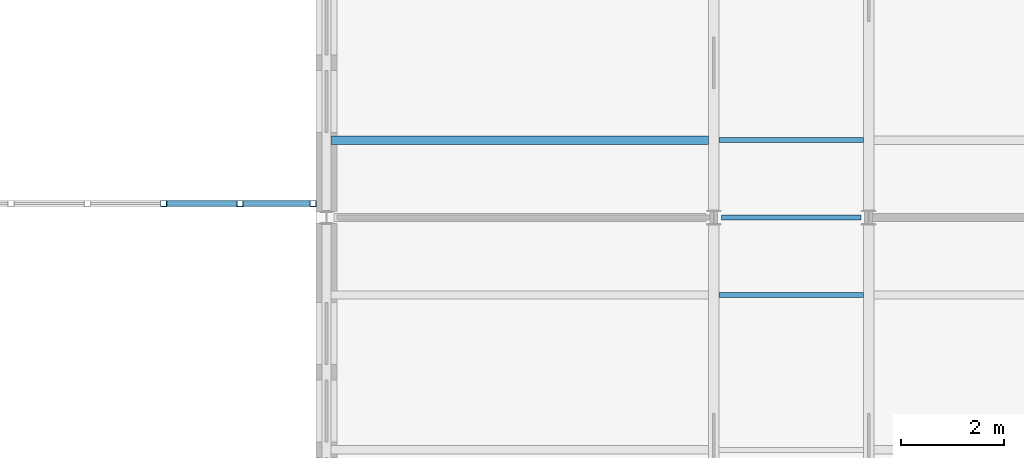
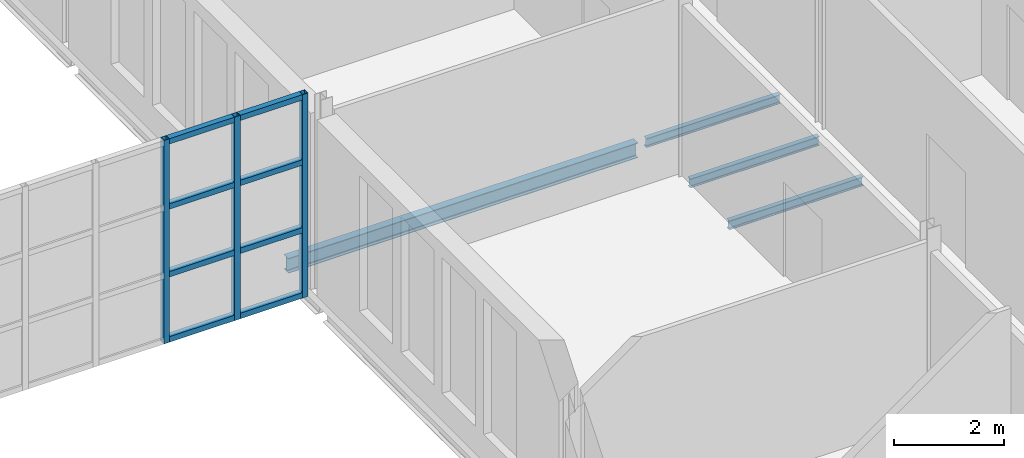
# One storey, part 34 of 131: 11 members, 4 beams, 1 element without a shape of its own.
"""IFC4 building model written with IfcOpenShell, lengths in metres."""

from ifc_helpers import new_model, si_unit, direction, frame, origin, origin_2d, place, context, subcontext, project, spatial, hollow_rectangle, i_section, extrude, material, material_profile, profile_set, type_object, element, aggregate, save


model = new_model("IFC4")

# Units and contexts
model_context = context("Model", 3, precision=1e-05, world=origin(), true_north=direction((0.0, 1.0)))
body_context = subcontext(model_context, "Body", "Model", "MODEL_VIEW")
ifc_project = project(units=[si_unit("LENGTHUNIT", "METRE"), si_unit("AREAUNIT", "SQUARE_METRE"), si_unit("VOLUMEUNIT", "CUBIC_METRE"), si_unit("PLANEANGLEUNIT", "RADIAN"), si_unit("MASSUNIT", "GRAM", prefix="KILO")], contexts=[model_context])

# Site, building, storey
site_placement = place(None, origin())
site = spatial("IfcSite", under=ifc_project, at=site_placement, CompositionType="ELEMENT")
building_placement = place(site_placement, origin())
building = spatial("IfcBuilding", under=site, at=building_placement, Name="Golden Quay Civic Hall", CompositionType="ELEMENT")
storey_placement = place(building_placement, frame((0.0, 0.0, 9.89990234375)))
storey = spatial("IfcBuildingStorey", under=building, at=storey_placement, Name="L02", CompositionType="ELEMENT", Elevation=9.89990234375)

# Curtain wall, members
ifc_material_1 = material(Name="Fire-resisting glass and steel", Category="steel")
curtain_wall_type = type_object("IfcCurtainWallType", Name="Fire-resisting glazed curtain wall EI 120", PredefinedType="NOTDEFINED", material=ifc_material_1)
curtain_wall_placement = place(storey_placement, origin())
curtain_wall = element("IfcCurtainWall", 1, at=curtain_wall_placement, inside=storey, type_object=curtain_wall_type, Name="CW3 curtain wall", PredefinedType="NOTDEFINED")
ifc_material_2 = material(Name="Steel S355", Category="steel")
ifc_material_profile_1 = material_profile(ifc_material_2, hollow_rectangle(XDim=0.1201171875, YDim=0.1201171875, WallThickness=0.008056640625, at=origin_2d()), Name="SHS 120x120x8")
ifc_profile_set_1 = profile_set([ifc_material_profile_1], Name="Steel S355")
member_type_1 = type_object("IfcMemberType", Name="Fire-resisting steel mullion SHS 120x120x8", PredefinedType="MULLION", material=ifc_profile_set_1)
member_1_placement = place(storey_placement, frame((95.844482421875, 18.27001953125, -0.199951171875), z_axis=(0.0, 0.0, 1.0), x_axis=(0.0, 1.0, 0.0)))
member_1 = element("IfcMember", 2, at=member_1_placement, type_object=member_type_1, Name="CW3 mullion 17", PredefinedType="MULLION", context=body_context, shape_type="SweptSolid", body=[
    extrude(hollow_rectangle(XDim=0.1201171875, YDim=0.1201171875, WallThickness=0.008056640625, at=origin_2d()), origin(), (0.0, 0.0, 1.0), 4.5),
])
member_2_placement = place(storey_placement, frame((97.322265625, 18.27001953125, -0.199951171875), z_axis=(0.0, 0.0, 1.0), x_axis=(0.0, 1.0, 0.0)))
member_2 = element("IfcMember", 3, at=member_2_placement, type_object=member_type_1, Name="CW3 mullion 18", PredefinedType="MULLION", context=body_context, shape_type="SweptSolid", body=[
    extrude(hollow_rectangle(XDim=0.1201171875, YDim=0.1201171875, WallThickness=0.008056640625, at=origin_2d()), origin(), (0.0, 0.0, 1.0), 4.5),
])
member_3_placement = place(storey_placement, frame((98.739990234375, 18.27001953125, -0.199951171875), z_axis=(0.0, 0.0, 1.0), x_axis=(0.0, 1.0, 0.0)))
member_3 = element("IfcMember", 4, at=member_3_placement, type_object=member_type_1, Name="CW3 mullion 19", PredefinedType="MULLION", context=body_context, shape_type="SweptSolid", body=[
    extrude(hollow_rectangle(XDim=0.1201171875, YDim=0.1201171875, WallThickness=0.008056640625, at=origin_2d()), origin(), (0.0, 0.0, 1.0), 4.5),
])
ifc_material_3 = material(Name="Steel S355", Category="steel")
ifc_material_profile_2 = material_profile(ifc_material_3, hollow_rectangle(XDim=0.1201171875, YDim=0.1201171875, WallThickness=0.008056640625, at=origin_2d()), Name="SHS 120x120x8")
ifc_profile_set_2 = profile_set([ifc_material_profile_2], Name="Steel S355")
member_type_2 = type_object("IfcMemberType", Name="Fire-resisting steel transom SHS 120x120x8", PredefinedType="USERDEFINED", material=ifc_profile_set_2)
member_4_placement = place(storey_placement, frame((95.904541015625, 18.27001953125, -0.139892578125), z_axis=(1.0, 0.0, 0.0), x_axis=(0.0, 1.0, 0.0)))
member_4 = element("IfcMember", 5, at=member_4_placement, type_object=member_type_2, Name="CW3 transom 17.1", ObjectType="TRANSOM", PredefinedType="USERDEFINED", context=body_context, shape_type="SweptSolid", body=[
    extrude(hollow_rectangle(XDim=0.1201171875, YDim=0.1201171875, WallThickness=0.008056640625, at=origin_2d()), origin(), (0.0, 0.0, 1.0), 1.357666015625),
])
member_5_placement = place(storey_placement, frame((95.904541015625, 18.27001953125, 1.300048828125), z_axis=(1.0, 0.0, 0.0), x_axis=(0.0, 1.0, 0.0)))
member_5 = element("IfcMember", 6, at=member_5_placement, type_object=member_type_2, Name="CW3 transom 17.2", ObjectType="TRANSOM", PredefinedType="USERDEFINED", context=body_context, shape_type="SweptSolid", body=[
    extrude(hollow_rectangle(XDim=0.1201171875, YDim=0.1201171875, WallThickness=0.008056640625, at=origin_2d()), origin(), (0.0, 0.0, 1.0), 1.357666015625),
])
member_6_placement = place(storey_placement, frame((95.904541015625, 18.27001953125, 2.800048828125), z_axis=(1.0, 0.0, 0.0), x_axis=(0.0, 1.0, 0.0)))
member_6 = element("IfcMember", 7, at=member_6_placement, type_object=member_type_2, Name="CW3 transom 17.3", ObjectType="TRANSOM", PredefinedType="USERDEFINED", context=body_context, shape_type="SweptSolid", body=[
    extrude(hollow_rectangle(XDim=0.1201171875, YDim=0.1201171875, WallThickness=0.008056640625, at=origin_2d()), origin(), (0.0, 0.0, 1.0), 1.357666015625),
])
member_7_placement = place(storey_placement, frame((95.904541015625, 18.27001953125, 4.239990234375), z_axis=(1.0, 0.0, 0.0), x_axis=(0.0, 1.0, 0.0)))
member_7 = element("IfcMember", 8, at=member_7_placement, type_object=member_type_2, Name="CW3 transom 17.4", ObjectType="TRANSOM", PredefinedType="USERDEFINED", context=body_context, shape_type="SweptSolid", body=[
    extrude(hollow_rectangle(XDim=0.1201171875, YDim=0.1201171875, WallThickness=0.008056640625, at=origin_2d()), origin(), (0.0, 0.0, 1.0), 1.357666015625),
])
member_8_placement = place(storey_placement, frame((97.38232421875, 18.27001953125, -0.139892578125), z_axis=(1.0, 0.0, 0.0), x_axis=(0.0, 1.0, 0.0)))
member_8 = element("IfcMember", 9, at=member_8_placement, type_object=member_type_2, Name="CW3 transom 18.1", ObjectType="TRANSOM", PredefinedType="USERDEFINED", context=body_context, shape_type="SweptSolid", body=[
    extrude(hollow_rectangle(XDim=0.1201171875, YDim=0.1201171875, WallThickness=0.008056640625, at=origin_2d()), origin(), (0.0, 0.0, 1.0), 1.297607421875),
])
member_9_placement = place(storey_placement, frame((97.38232421875, 18.27001953125, 1.300048828125), z_axis=(1.0, 0.0, 0.0), x_axis=(0.0, 1.0, 0.0)))
member_9 = element("IfcMember", 10, at=member_9_placement, type_object=member_type_2, Name="CW3 transom 18.2", ObjectType="TRANSOM", PredefinedType="USERDEFINED", context=body_context, shape_type="SweptSolid", body=[
    extrude(hollow_rectangle(XDim=0.1201171875, YDim=0.1201171875, WallThickness=0.008056640625, at=origin_2d()), origin(), (0.0, 0.0, 1.0), 1.297607421875),
])
member_10_placement = place(storey_placement, frame((97.38232421875, 18.27001953125, 2.800048828125), z_axis=(1.0, 0.0, 0.0), x_axis=(0.0, 1.0, 0.0)))
member_10 = element("IfcMember", 11, at=member_10_placement, type_object=member_type_2, Name="CW3 transom 18.3", ObjectType="TRANSOM", PredefinedType="USERDEFINED", context=body_context, shape_type="SweptSolid", body=[
    extrude(hollow_rectangle(XDim=0.1201171875, YDim=0.1201171875, WallThickness=0.008056640625, at=origin_2d()), origin(), (0.0, 0.0, 1.0), 1.297607421875),
])
member_11_placement = place(storey_placement, frame((97.38232421875, 18.27001953125, 4.239990234375), z_axis=(1.0, 0.0, 0.0), x_axis=(0.0, 1.0, 0.0)))
member_11 = element("IfcMember", 12, at=member_11_placement, type_object=member_type_2, Name="CW3 transom 18.4", ObjectType="TRANSOM", PredefinedType="USERDEFINED", context=body_context, shape_type="SweptSolid", body=[
    extrude(hollow_rectangle(XDim=0.1201171875, YDim=0.1201171875, WallThickness=0.008056640625, at=origin_2d()), origin(), (0.0, 0.0, 1.0), 1.297607421875),
])
aggregate(curtain_wall, [member_1, member_2, member_3, member_4, member_5, member_6, member_7, member_8, member_9, member_10, member_11])

# Beams
ifc_material_4 = material(Name="Steel S355", Category="steel")
ifc_material_profile_3 = material_profile(ifc_material_4, i_section(OverallWidth=0.10009765625, OverallDepth=0.199951171875, WebThickness=0.005615234375, FlangeThickness=0.008544921875, FilletRadius=0.011962890625, at=origin_2d()), Name="IPE 200")
ifc_profile_set_3 = profile_set([ifc_material_profile_3], Name="Steel S355")
beam_type_1 = type_object("IfcBeamType", Name="Steel beam IPE 200", PredefinedType="BEAM", material=ifc_profile_set_3)
beam_1_placement = place(storey_placement, frame((106.64990234375, 18.0, -0.2998046875), z_axis=(1.0, 0.0, 0.0), x_axis=(0.0, 1.0, 0.0)))
element("IfcBeam", 13, at=beam_1_placement, inside=storey, type_object=beam_type_1, Name="Beam S18-106.5", PredefinedType="BEAM", context=body_context, shape_type="SweptSolid", body=[
    extrude(i_section(OverallWidth=0.10009765625, OverallDepth=0.199951171875, WebThickness=0.005615234375, FlangeThickness=0.008544921875, FilletRadius=0.011962890625, at=origin_2d()), origin(), (0.0, 0.0, 1.0), 2.7001953125),
])
ifc_material_5 = material(Name="Steel S355", Category="steel")
ifc_material_profile_4 = material_profile(ifc_material_5, i_section(OverallWidth=0.10009765625, OverallDepth=0.199951171875, WebThickness=0.005615234375, FlangeThickness=0.008544921875, FilletRadius=0.011962890625, at=origin_2d()), Name="IPE 200")
ifc_profile_set_4 = profile_set([ifc_material_profile_4], Name="Steel S355")
beam_type_2 = type_object("IfcBeamType", Name="Steel joist IPE 200", PredefinedType="JOIST", material=ifc_profile_set_4)
for number, where, z_axis, x_axis, name in (
    (14, (106.60009765625, 16.5, -0.2998046875), (1.0, 0.0, 0.0), (0.0, 1.0, 0.0), "Joist J16.5-106.5"),
    (15, (106.60009765625, 19.5, -0.2998046875), (1.0, 0.0, 0.0), (0.0, 1.0, 0.0), "Joist J19.5-106.5"),
):
    element("IfcBeam", number, at=place(storey_placement, frame(where, z_axis=z_axis, x_axis=x_axis)), inside=storey, type_object=beam_type_2, Name=name, PredefinedType="JOIST", context=body_context, shape_type="SweptSolid", body=[
        extrude(i_section(OverallWidth=0.10009765625, OverallDepth=0.199951171875, WebThickness=0.005615234375, FlangeThickness=0.008544921875, FilletRadius=0.011962890625, at=origin_2d()), origin(), (0.0, 0.0, 1.0), 2.7998046875),
    ])
ifc_material_6 = material(Name="Steel S355", Category="steel")
ifc_material_profile_5 = material_profile(ifc_material_6, i_section(OverallWidth=0.159912109375, OverallDepth=0.330078125, WebThickness=0.007568359375, FlangeThickness=0.011474609375, FilletRadius=0.01806640625, at=origin_2d()), Name="IPE 330")
ifc_profile_set_5 = profile_set([ifc_material_profile_5], Name="Steel S355")
beam_type_3 = type_object("IfcBeamType", Name="Steel joist IPE 330", PredefinedType="JOIST", material=ifc_profile_set_5)
beam_2_placement = place(storey_placement, frame((99.090087890625, 19.5, -0.364990234375), z_axis=(1.0, 0.0, 0.0), x_axis=(0.0, 1.0, 0.0)))
element("IfcBeam", 16, at=beam_2_placement, inside=storey, type_object=beam_type_3, Name="Joist J19.5-99", PredefinedType="JOIST", context=body_context, shape_type="SweptSolid", body=[
    extrude(i_section(OverallWidth=0.159912109375, OverallDepth=0.330078125, WebThickness=0.007568359375, FlangeThickness=0.011474609375, FilletRadius=0.01806640625, at=origin_2d()), origin(), (0.0, 0.0, 1.0), 7.309814453125),
])

save(model, "model.ifc")
